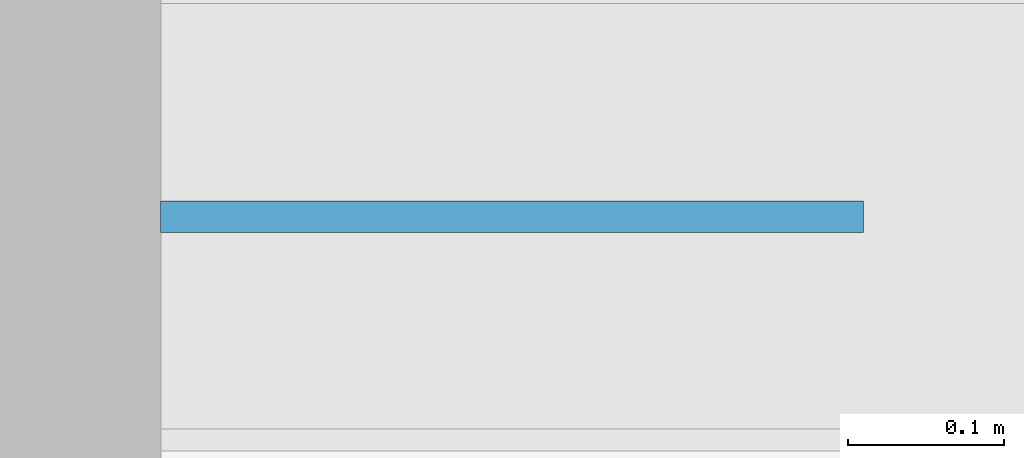
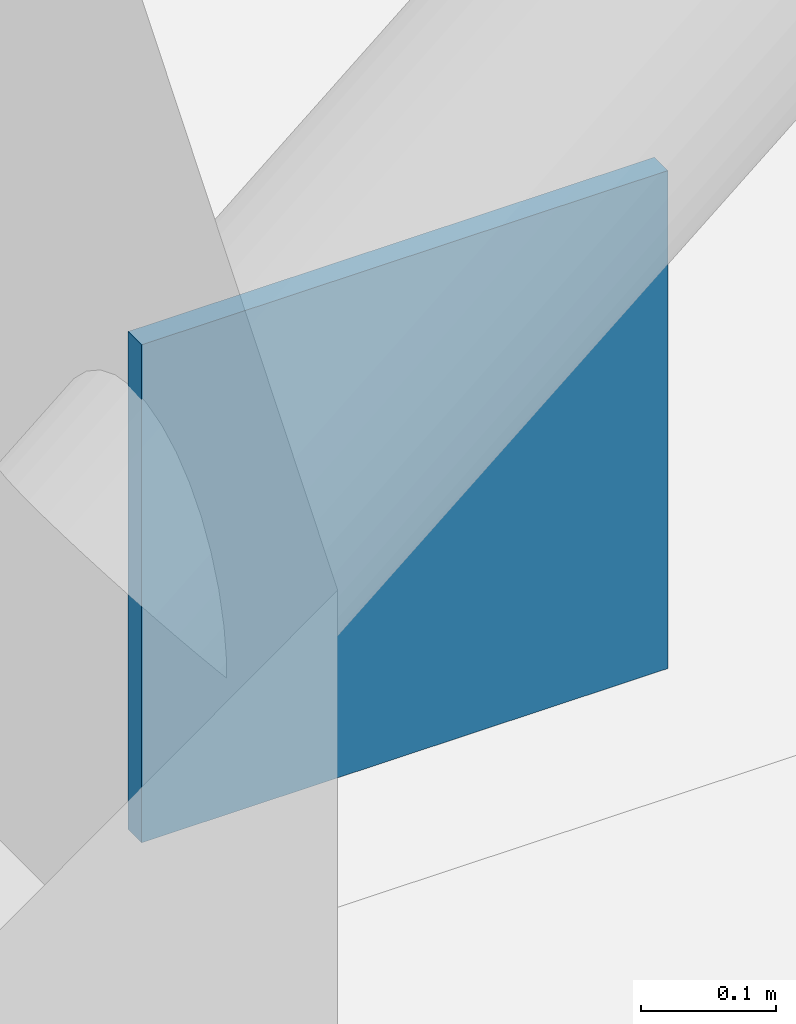
# One storey, part 78 of 100: 1 plate.
"""IFC4 building model written with IfcOpenShell, lengths in metres."""

from ifc_helpers import new_model, si_unit, direction, frame, origin, origin_2d, place, context, subcontext, project, spatial, rectangle, extrude, material, layer, layer_set, type_object, element, save


model = new_model("IFC4")

# Units and contexts
model_context = context("Model", 3, precision=1e-05, world=origin(), true_north=direction((0.0, 1.0)))
body_context = subcontext(model_context, "Body", "Model", "MODEL_VIEW")
ifc_project = project(units=[si_unit("LENGTHUNIT", "METRE"), si_unit("AREAUNIT", "SQUARE_METRE"), si_unit("VOLUMEUNIT", "CUBIC_METRE"), si_unit("PLANEANGLEUNIT", "RADIAN"), si_unit("MASSUNIT", "GRAM", prefix="KILO")], contexts=[model_context])

# Site, building, storey
site_placement = place(None, origin())
site = spatial("IfcSite", under=ifc_project, at=site_placement, CompositionType="ELEMENT")
building_placement = place(site_placement, origin())
building = spatial("IfcBuilding", under=site, at=building_placement, Name="Tasgan Crest Museum", CompositionType="ELEMENT")
storey_placement = place(building_placement, frame((0.0, 0.0, 14.39990234375)))
storey = spatial("IfcBuildingStorey", under=building, at=storey_placement, Name="L03", CompositionType="ELEMENT", Elevation=14.39990234375)

# Plate
ifc_material = material(Name="Steel S355K2", Category="steel")
ifc_layer = layer(ifc_material, 0.02001953125, Name="PL-GUSSET-450")
ifc_layer_set = layer_set([ifc_layer], Name="Steel S355K2")
plate_type = type_object("IfcPlateType", Name="PL-GUSSET-450", PredefinedType="USERDEFINED", material=ifc_layer_set)
plate_placement = place(storey_placement, frame((65.324951171875, 82.0, 0.125), z_axis=(0.0, 0.0, 1.0), x_axis=(1.0, 0.0, 0.0)))
element("IfcPlate", 1, at=plate_placement, inside=storey, type_object=plate_type, Name="Diagonal gusset plate L03 J 64.8", ObjectType="GUSSET PLATE", PredefinedType="USERDEFINED", context=body_context, shape_type="SweptSolid", body=[
    extrude(rectangle(XDim=0.449951171875, YDim=0.02001953125, at=origin_2d()), origin(), (0.0, 0.0, 1.0), 0.449951171875),
])

save(model, "model.ifc")
